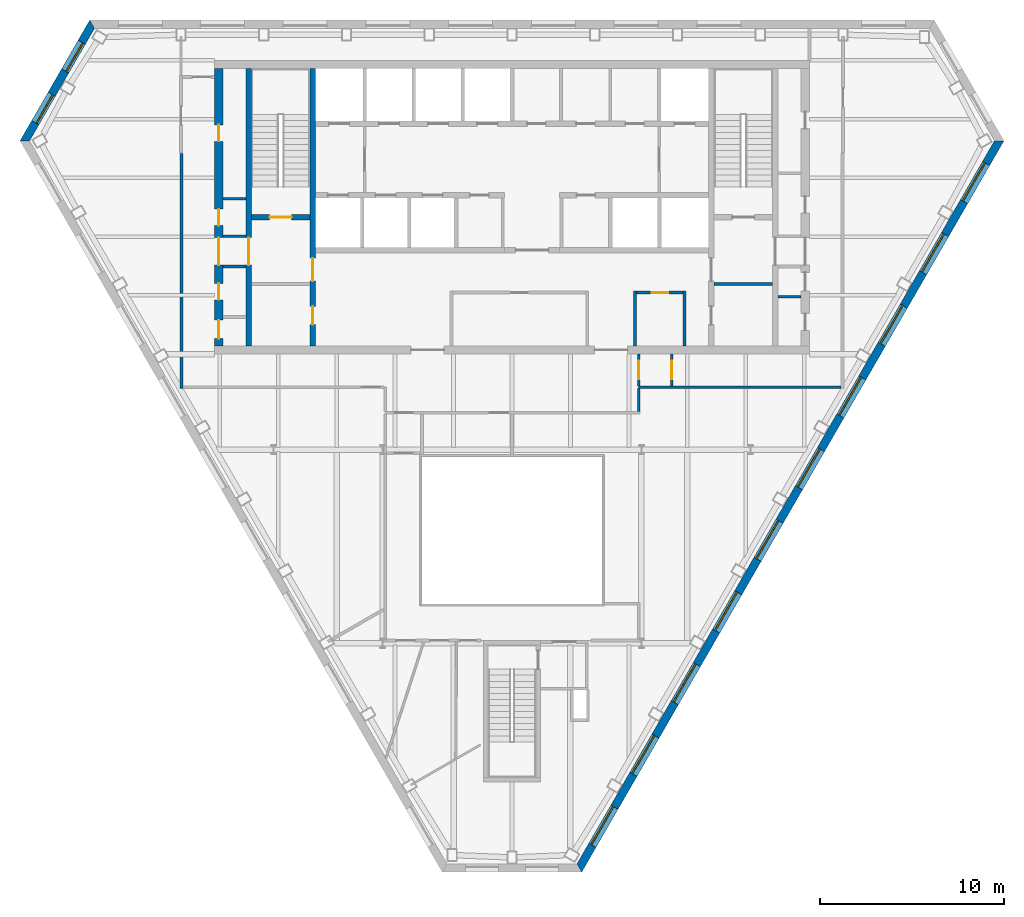
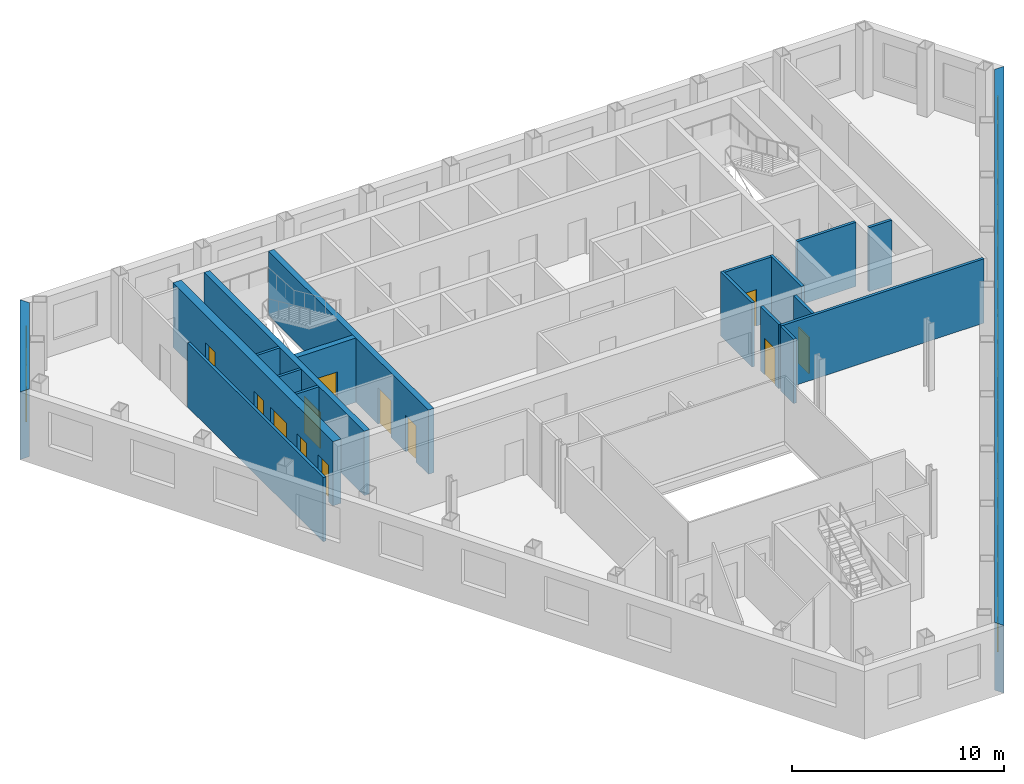
# One storey, part 5 of 10: 19 walls, 12 doors, 12 windows, 24 openings.
"""IFC4 building model written with IfcOpenShell, lengths in metres."""

from ifc_helpers import new_model, si_unit, direction, frame, frame_2d, origin, place, context, subcontext, project, spatial, polyline, rectangle, outline, extrude, material, layer, layer_set, type_object, element, fill, save


model = new_model("IFC4")

# Units and contexts
model_context = context("Model", 3, precision=1e-05, world=origin(), true_north=direction((0.0, 1.0)))
body_context = subcontext(model_context, "Body", "Model", "MODEL_VIEW")
ifc_project = project(units=[si_unit("LENGTHUNIT", "METRE"), si_unit("AREAUNIT", "SQUARE_METRE"), si_unit("VOLUMEUNIT", "CUBIC_METRE"), si_unit("PLANEANGLEUNIT", "RADIAN"), si_unit("MASSUNIT", "GRAM", prefix="KILO")], contexts=[model_context])

# Site, building, storey
site_placement = place(None, origin())
site = spatial("IfcSite", under=ifc_project, at=site_placement, CompositionType="ELEMENT")
building_placement = place(site_placement, origin())
building = spatial("IfcBuilding", under=site, at=building_placement, Name="Njiva Tower", CompositionType="ELEMENT")
storey_placement = place(building_placement, frame((0.0, 0.0, 196.5)))
storey = spatial("IfcBuildingStorey", under=building, at=storey_placement, Name="L43", CompositionType="ELEMENT", Elevation=196.5)

# Walls
ifc_material_1 = material(Name="Blockwork", Category="masonry")
ifc_layer_1 = layer(ifc_material_1, 0.15)
ifc_layer_set_1 = layer_set([ifc_layer_1], Name="Blockwork")
wall_type_1 = type_object("IfcWallType", Name="WT1 Compartment partition 150", PredefinedType="PARTITIONING", material=ifc_layer_set_1)
wall_1_placement = place(storey_placement, frame((11.0, 5.825, 0.0), z_axis=(0.0, 0.0, 1.0), x_axis=(1.0, 0.0, 0.0)))
element("IfcWall", 1, at=wall_1_placement, inside=storey, type_object=wall_type_1, Name="Room wall B", PredefinedType="PARTITIONING", context=body_context, shape_type="SweptSolid", body=[
    extrude(rectangle(XDim=3.2, YDim=0.15, at=frame_2d((1.6, 0.0))), origin(), (0.0, 0.0, 1.0), 3.7),
])
wall_2_placement = place(storey_placement, frame((14.5, 5.125, 0.0), z_axis=(0.0, 0.0, 1.0), x_axis=(1.0, 0.0, 0.0)))
element("IfcWall", 2, at=wall_2_placement, inside=storey, type_object=wall_type_1, Name="Partition strip E00", PredefinedType="PARTITIONING", context=body_context, shape_type="SweptSolid", body=[
    extrude(rectangle(XDim=1.25, YDim=0.15, at=frame_2d((0.625, 0.0))), origin(), (0.0, 0.0, 1.0), 3.7),
])
for number, where, z_axis, x_axis, name in (
    (3, (6.7, 2.45, 0.0), (0.0, 0.0, 1.0), (0.0, 1.0, 0.0), "Security office wall west"),
    (4, (9.4, 2.45, 0.0), (0.0, 0.0, 1.0), (0.0, 1.0, 0.0), "Security office wall east"),
):
    element("IfcWall", number, at=place(storey_placement, frame(where, z_axis=z_axis, x_axis=x_axis)), inside=storey, type_object=wall_type_1, Name=name, PredefinedType="PARTITIONING", context=body_context, shape_type="SweptSolid", body=[
        extrude(rectangle(XDim=2.975, YDim=0.15, at=frame_2d((1.4875, 0.0))), origin(), (0.0, 0.0, 1.0), 3.7),
    ])

# Wall, opening, door
wall_3_placement = place(storey_placement, frame((6.775, 5.35, 0.0), z_axis=(0.0, 0.0, 1.0), x_axis=(1.0, 0.0, 0.0)))
wall_3 = element("IfcWall", 5, at=wall_3_placement, inside=storey, type_object=wall_type_1, Name="Security office wall north", PredefinedType="PARTITIONING", context=body_context, shape_type="SweptSolid", body=[
    extrude(rectangle(XDim=2.55, YDim=0.15, at=frame_2d((1.275, 0.0))), origin(), (0.0, 0.0, 1.0), 3.7),
])
opening_1_placement = place(wall_3_placement, frame((0.825, 0.0, 0.0)))
opening_1 = element("IfcOpeningElement", 6, at=opening_1_placement, cuts=wall_3, Name="Opening S14-D935", PredefinedType="OPENING", context=body_context, shape_type="SweptSolid", body=[
    extrude(rectangle(XDim=0.9, YDim=2.1, at=frame_2d((0.45, 1.05))), frame((0.0, 0.085, 0.0), z_axis=(0.0, -1.0, 0.0), x_axis=(1.0, 0.0, 0.0)), (0.0, 0.0, 1.0), 0.17),
])
ifc_material_2 = material(Name="Steel fire door, painted", Category="steel")
door_type_1 = type_object("IfcDoorType", Name="D6 Fire-rated door 900x2100", OperationType="SINGLE_SWING_LEFT", PredefinedType="DOOR", material=ifc_material_2)
door_1_placement = place(opening_1_placement, origin())
door_1 = element("IfcDoor", 7, at=door_1_placement, inside=storey, type_object=door_type_1, Name="Security office door", OperationType="SINGLE_SWING_RIGHT", OverallHeight=2.1, OverallWidth=0.9, PredefinedType="DOOR", context=body_context, shape_type="SweptSolid", body=[
    extrude(rectangle(XDim=0.9, YDim=2.1, at=frame_2d((0.45, 1.05))), frame((0.0, 0.025, 0.0), z_axis=(0.0, -1.0, 0.0), x_axis=(1.0, 0.0, 0.0)), (0.0, 0.0, 1.0), 0.05),
])
fill(opening_1, door_1)

# Wall, openings, doors
ifc_material_3 = material(Name="Concrete C40/50", Category="concrete")
ifc_layer_2 = layer(ifc_material_3, 0.3)
ifc_layer_set_2 = layer_set([ifc_layer_2], Name="Concrete C40/50")
wall_type_2 = type_object("IfcWallType", Name="WT10 Stair enclosure wall 300", PredefinedType="SHEAR", material=ifc_layer_set_2)
wall_4_placement = place(storey_placement, frame((-10.85, 2.45, 0.0), z_axis=(0.0, 0.0, 1.0), x_axis=(0.0, 1.0, 0.0)))
wall_4 = element("IfcWall", 8, at=wall_4_placement, inside=storey, type_object=wall_type_2, Name="Stair wall west inner", PredefinedType="SHEAR", context=body_context, shape_type="SweptSolid", body=[
    extrude(rectangle(XDim=15.1, YDim=0.3, at=frame_2d((7.55, 0.0))), origin(), (0.0, 0.0, 1.0), 3.7),
])
opening_2_placement = place(wall_4_placement, frame((3.525, 0.0, 0.0)))
opening_2 = element("IfcOpeningElement", 9, at=opening_2_placement, cuts=wall_4, Name="Opening S14-D916", PredefinedType="OPENING", context=body_context, shape_type="SweptSolid", body=[
    extrude(rectangle(XDim=1.25, YDim=2.1, at=frame_2d((0.625, 1.05))), frame((0.0, 0.16, 0.0), z_axis=(0.0, -1.0, 0.0), x_axis=(1.0, 0.0, 0.0)), (0.0, 0.0, 1.0), 0.32),
])
opening_3_placement = place(wall_4_placement, frame((1.15, 0.0, 0.0)))
opening_3 = element("IfcOpeningElement", 10, at=opening_3_placement, cuts=wall_4, Name="Opening S14-D917", PredefinedType="OPENING", context=body_context, shape_type="SweptSolid", body=[
    extrude(rectangle(XDim=1.0, YDim=2.1, at=frame_2d((0.5, 1.05))), frame((0.0, 0.16, 0.0), z_axis=(0.0, -1.0, 0.0), x_axis=(1.0, 0.0, 0.0)), (0.0, 0.0, 1.0), 0.32),
])
ifc_material_4 = material(Name="Steel door, painted", Category="steel")
door_type_2 = type_object("IfcDoorType", Name="D5 Steel door 1000x2100", OperationType="SINGLE_SWING_LEFT", PredefinedType="DOOR", material=ifc_material_4)
door_2_placement = place(opening_3_placement, origin())
door_2 = element("IfcDoor", 11, at=door_2_placement, inside=storey, type_object=door_type_2, Name="Quiet room door", OperationType="SINGLE_SWING_RIGHT", OverallHeight=2.1, OverallWidth=1.0, PredefinedType="DOOR", context=body_context, shape_type="SweptSolid", body=[
    extrude(rectangle(XDim=1.0, YDim=2.1, at=frame_2d((0.5, 1.05))), frame((0.0, 0.025, 0.0), z_axis=(0.0, -1.0, 0.0), x_axis=(1.0, 0.0, 0.0)), (0.0, 0.0, 1.0), 0.05),
])
fill(opening_3, door_2)
ifc_material_5 = material(Name="Glazed steel fire door", Category="steel")
door_type_3 = type_object("IfcDoorType", Name="D8 Vestibule corridor door 1250x2100 glazed", OperationType="SINGLE_SWING_LEFT", PredefinedType="DOOR", material=ifc_material_5)
door_3_placement = place(opening_2_placement, origin())
door_3 = element("IfcDoor", 12, at=door_3_placement, inside=storey, type_object=door_type_3, Name="Stair vestibule corridor door", OperationType="SINGLE_SWING_LEFT", OverallHeight=2.1, OverallWidth=1.25, PredefinedType="DOOR", context=body_context, shape_type="SweptSolid", body=[
    extrude(rectangle(XDim=1.25, YDim=2.1, at=frame_2d((0.625, 1.05))), frame((0.0, 0.025, 0.0), z_axis=(0.0, -1.0, 0.0), x_axis=(1.0, 0.0, 0.0)), (0.0, 0.0, 1.0), 0.05),
])
fill(opening_2, door_3)

# Wall, opening, door
wall_5_placement = place(storey_placement, frame((-14.35, 2.45, 0.0), z_axis=(0.0, 0.0, 1.0), x_axis=(0.0, 1.0, 0.0)))
wall_5 = element("IfcWall", 13, at=wall_5_placement, inside=storey, type_object=wall_type_2, Name="Stair wall west outer", PredefinedType="SHEAR", context=body_context, shape_type="SweptSolid", body=[
    extrude(rectangle(XDim=15.1, YDim=0.3, at=frame_2d((7.55, 0.0))), origin(), (0.0, 0.0, 1.0), 3.7),
])
opening_4_placement = place(wall_5_placement, frame((4.4, 0.0, 0.0)))
opening_4 = element("IfcOpeningElement", 14, at=opening_4_placement, cuts=wall_5, Name="Opening S14-D922", PredefinedType="OPENING", context=body_context, shape_type="SweptSolid", body=[
    extrude(rectangle(XDim=1.5, YDim=2.1, at=frame_2d((0.75, 1.05))), frame((0.0, 0.16, 0.0), z_axis=(0.0, -1.0, 0.0), x_axis=(1.0, 0.0, 0.0)), (0.0, 0.0, 1.0), 0.32),
])
door_type_4 = type_object("IfcDoorType", Name="D10 Exit door double 1500x2100 glazed", OperationType="DOUBLE_DOOR_SINGLE_SWING", PredefinedType="DOOR", material=ifc_material_5)
door_4_placement = place(opening_4_placement, origin())
door_4 = element("IfcDoor", 15, at=door_4_placement, inside=storey, type_object=door_type_4, Name="Stair A passage door", OperationType="DOUBLE_DOOR_SINGLE_SWING", OverallHeight=2.1, OverallWidth=1.5, PredefinedType="DOOR", context=body_context, shape_type="SweptSolid", body=[
    extrude(rectangle(XDim=1.5, YDim=2.1, at=frame_2d((0.75, 1.05))), frame((0.0, 0.025, 0.0), z_axis=(0.0, -1.0, 0.0), x_axis=(1.0, 0.0, 0.0)), (0.0, 0.0, 1.0), 0.05),
])
fill(opening_4, door_4)

wall_6_placement = place(storey_placement, frame((-14.2, 9.45, 0.0), z_axis=(0.0, 0.0, 1.0), x_axis=(1.0, 0.0, 0.0)))
wall_6 = element("IfcWall", 16, at=wall_6_placement, inside=storey, type_object=wall_type_2, Name="Stair A south wall", PredefinedType="SHEAR", context=body_context, shape_type="SweptSolid", body=[
    extrude(rectangle(XDim=3.2, YDim=0.3, at=frame_2d((1.6, 0.0))), origin(), (0.0, 0.0, 1.0), 3.7),
])
opening_5_placement = place(wall_6_placement, frame((1.0, 0.0, 0.0)))
opening_5 = element("IfcOpeningElement", 17, at=opening_5_placement, cuts=wall_6, Name="Opening S14-D915", PredefinedType="OPENING", context=body_context, shape_type="SweptSolid", body=[
    extrude(rectangle(XDim=1.2, YDim=2.1, at=frame_2d((0.6, 1.05))), frame((0.0, 0.16, 0.0), z_axis=(0.0, -1.0, 0.0), x_axis=(1.0, 0.0, 0.0)), (0.0, 0.0, 1.0), 0.32),
])
door_type_5 = type_object("IfcDoorType", Name="D7 Stair vestibule door 1200x2100 glazed", OperationType="SINGLE_SWING_LEFT", PredefinedType="DOOR", material=ifc_material_5)
door_5_placement = place(opening_5_placement, origin())
door_5 = element("IfcDoor", 18, at=door_5_placement, inside=storey, type_object=door_type_5, Name="Stair A door", OperationType="SINGLE_SWING_LEFT", OverallHeight=2.1, OverallWidth=1.2, PredefinedType="DOOR", context=body_context, shape_type="SweptSolid", body=[
    extrude(rectangle(XDim=1.2, YDim=2.1, at=frame_2d((0.6, 1.05))), frame((0.0, 0.025, 0.0), z_axis=(0.0, -1.0, 0.0), x_axis=(1.0, 0.0, 0.0)), (0.0, 0.0, 1.0), 0.05),
])
fill(opening_5, door_5)

# Wall, openings, doors
ifc_material_6 = material(Name="Concrete C60/75", Category="concrete")
ifc_layer_3 = layer(ifc_material_6, 0.45)
ifc_layer_set_3 = layer_set([ifc_layer_3], Name="Concrete C60/75")
wall_type_3 = type_object("IfcWallType", Name="WT12 Core wall 450", PredefinedType="SHEAR", material=ifc_layer_set_3)
wall_7_placement = place(storey_placement, frame((-15.975, 2.45, 0.0), z_axis=(0.0, 0.0, 1.0), x_axis=(0.0, 1.0, 0.0)))
wall_7 = element("IfcWall", 19, at=wall_7_placement, inside=storey, type_object=wall_type_3, Name="Core wall west", PredefinedType="SHEAR", context=body_context, shape_type="SweptSolid", body=[
    extrude(rectangle(XDim=15.1, YDim=0.45, at=frame_2d((7.55, 0.0))), origin(), (0.0, 0.0, 1.0), 3.7),
])
opening_6_placement = place(wall_7_placement, frame((4.4, 0.0, 0.0)))
opening_6 = element("IfcOpeningElement", 20, at=opening_6_placement, cuts=wall_7, Name="Opening S14-D923", PredefinedType="OPENING", context=body_context, shape_type="SweptSolid", body=[
    extrude(rectangle(XDim=1.5, YDim=2.1, at=frame_2d((0.75, 1.05))), frame((0.0, 0.235, 0.0), z_axis=(0.0, -1.0, 0.0), x_axis=(1.0, 0.0, 0.0)), (0.0, 0.0, 1.0), 0.47),
])
opening_7_placement = place(wall_7_placement, frame((0.4, 0.0, 0.0)))
opening_7 = element("IfcOpeningElement", 21, at=opening_7_placement, cuts=wall_7, Name="Opening S14-D924", PredefinedType="OPENING", context=body_context, shape_type="SweptSolid", body=[
    extrude(rectangle(XDim=1.0, YDim=2.1, at=frame_2d((0.5, 1.05))), frame((0.0, 0.235, 0.0), z_axis=(0.0, -1.0, 0.0), x_axis=(1.0, 0.0, 0.0)), (0.0, 0.0, 1.0), 0.47),
])
opening_8_placement = place(wall_7_placement, frame((2.5, 0.0, 0.0)))
opening_8 = element("IfcOpeningElement", 22, at=opening_8_placement, cuts=wall_7, Name="Opening S14-D925", PredefinedType="OPENING", context=body_context, shape_type="SweptSolid", body=[
    extrude(rectangle(XDim=0.9, YDim=2.1, at=frame_2d((0.45, 1.05))), frame((0.0, 0.235, 0.0), z_axis=(0.0, -1.0, 0.0), x_axis=(1.0, 0.0, 0.0)), (0.0, 0.0, 1.0), 0.47),
])
opening_9_placement = place(wall_7_placement, frame((6.5439, 0.0, 0.0)))
opening_9 = element("IfcOpeningElement", 23, at=opening_9_placement, cuts=wall_7, Name="Opening S14-D926", PredefinedType="OPENING", context=body_context, shape_type="SweptSolid", body=[
    extrude(rectangle(XDim=0.9, YDim=2.1, at=frame_2d((0.45, 1.05))), frame((0.0, 0.235, 0.0), z_axis=(0.0, -1.0, 0.0), x_axis=(1.0, 0.0, 0.0)), (0.0, 0.0, 1.0), 0.47),
])
opening_10_placement = place(wall_7_placement, frame((11.1439, 0.0, 0.0)))
opening_10 = element("IfcOpeningElement", 24, at=opening_10_placement, cuts=wall_7, Name="Opening S14-D927", PredefinedType="OPENING", context=body_context, shape_type="SweptSolid", body=[
    extrude(rectangle(XDim=0.9, YDim=2.1, at=frame_2d((0.45, 1.05))), frame((0.0, 0.235, 0.0), z_axis=(0.0, -1.0, 0.0), x_axis=(1.0, 0.0, 0.0)), (0.0, 0.0, 1.0), 0.47),
])
door_6_placement = place(opening_6_placement, origin())
door_6 = element("IfcDoor", 25, at=door_6_placement, inside=storey, type_object=door_type_4, Name="Stair A corridor door", OperationType="DOUBLE_DOOR_SINGLE_SWING", OverallHeight=2.1, OverallWidth=1.5, PredefinedType="DOOR", context=body_context, shape_type="SweptSolid", body=[
    extrude(rectangle(XDim=1.5, YDim=2.1, at=frame_2d((0.75, 1.05))), frame((0.0, 0.025, 0.0), z_axis=(0.0, -1.0, 0.0), x_axis=(1.0, 0.0, 0.0)), (0.0, 0.0, 1.0), 0.05),
])
fill(opening_6, door_6)
door_type_6 = type_object("IfcDoorType", Name="D4 Riser door 900x2100", OperationType="SINGLE_SWING_LEFT", PredefinedType="DOOR", material=ifc_material_4)
door_7_placement = place(opening_9_placement, origin())
door_7 = element("IfcDoor", 26, at=door_7_placement, inside=storey, type_object=door_type_6, Name="Cable riser door", OperationType="SINGLE_SWING_RIGHT", OverallHeight=2.1, OverallWidth=0.9, PredefinedType="DOOR", context=body_context, shape_type="SweptSolid", body=[
    extrude(rectangle(XDim=0.9, YDim=2.1, at=frame_2d((0.45, 1.05))), frame((0.0, 0.025, 0.0), z_axis=(0.0, -1.0, 0.0), x_axis=(1.0, 0.0, 0.0)), (0.0, 0.0, 1.0), 0.05),
])
fill(opening_9, door_7)
door_8_placement = place(opening_7_placement, origin())
door_8 = element("IfcDoor", 27, at=door_8_placement, inside=storey, type_object=door_type_2, Name="Electrical room door", OperationType="SINGLE_SWING_RIGHT", OverallHeight=2.1, OverallWidth=1.0, PredefinedType="DOOR", context=body_context, shape_type="SweptSolid", body=[
    extrude(rectangle(XDim=1.0, YDim=2.1, at=frame_2d((0.5, 1.05))), frame((0.0, 0.025, 0.0), z_axis=(0.0, -1.0, 0.0), x_axis=(1.0, 0.0, 0.0)), (0.0, 0.0, 1.0), 0.05),
])
fill(opening_7, door_8)
door_9_placement = place(opening_8_placement, origin())
door_9 = element("IfcDoor", 28, at=door_9_placement, inside=storey, type_object=door_type_1, Name="Cable store door", OperationType="SINGLE_SWING_RIGHT", OverallHeight=2.1, OverallWidth=0.9, PredefinedType="DOOR", context=body_context, shape_type="SweptSolid", body=[
    extrude(rectangle(XDim=0.9, YDim=2.1, at=frame_2d((0.45, 1.05))), frame((0.0, 0.025, 0.0), z_axis=(0.0, -1.0, 0.0), x_axis=(1.0, 0.0, 0.0)), (0.0, 0.0, 1.0), 0.05),
])
fill(opening_8, door_9)
door_10_placement = place(opening_10_placement, origin())
door_10 = element("IfcDoor", 29, at=door_10_placement, inside=storey, type_object=door_type_1, Name="Cable store door", OperationType="SINGLE_SWING_LEFT", OverallHeight=2.1, OverallWidth=0.9, PredefinedType="DOOR", context=body_context, shape_type="SweptSolid", body=[
    extrude(rectangle(XDim=0.9, YDim=2.1, at=frame_2d((0.45, 1.05))), frame((0.0, 0.025, 0.0), z_axis=(0.0, -1.0, 0.0), x_axis=(1.0, 0.0, 0.0)), (0.0, 0.0, 1.0), 0.05),
])
fill(opening_10, door_10)

# Walls
ifc_material_7 = material(Name="Gypsum board on steel studs", Category="gypsum")
ifc_layer_4 = layer(ifc_material_7, 0.15)
ifc_layer_set_4 = layer_set([ifc_layer_4], Name="Gypsum board on steel studs")
wall_type_4 = type_object("IfcWallType", Name="WT21 Compartment wall 150", PredefinedType="PARTITIONING", material=ifc_layer_set_4)
wall_8_placement = place(storey_placement, frame((-18.0, 0.125, 0.0), z_axis=(0.0, 0.0, 1.0), x_axis=(0.0, 1.0, 0.0)))
element("IfcWall", 30, at=wall_8_placement, inside=storey, type_object=wall_type_4, Name="Partition S14-P003", PredefinedType="PARTITIONING", context=body_context, shape_type="SweptSolid", body=[
    extrude(rectangle(XDim=12.8, YDim=0.15, at=frame_2d((6.4, 0.0))), origin(), (0.0, 0.0, 1.0), 3.7),
])
wall_9_placement = place(storey_placement, frame((6.9, -1.125, 0.0), z_axis=(0.0, 0.0, 1.0), x_axis=(0.0, 1.0, 0.0)))
element("IfcWall", 31, at=wall_9_placement, inside=storey, type_object=wall_type_4, Name="Partition S14-P021", PredefinedType="PARTITIONING", context=body_context, shape_type="SweptSolid", body=[
    extrude(rectangle(XDim=1.25, YDim=0.15, at=frame_2d((0.625, 0.0))), origin(), (0.0, 0.0, 1.0), 3.7),
])
wall_10_placement = place(storey_placement, frame((6.9, 0.2, 0.0), z_axis=(0.0, 0.0, 1.0), x_axis=(1.0, 0.0, 0.0)))
element("IfcWall", 32, at=wall_10_placement, inside=storey, type_object=wall_type_4, Name="Partition S14-P022", PredefinedType="PARTITIONING", context=body_context, shape_type="SweptSolid", body=[
    extrude(rectangle(XDim=11.025, YDim=0.15, at=frame_2d((5.5125, 0.0))), origin(), (0.0, 0.0, 1.0), 3.7),
])

# Wall, opening, door
wall_11_placement = place(storey_placement, frame((6.9, 0.275, 0.0), z_axis=(0.0, 0.0, 1.0), x_axis=(0.0, 1.0, 0.0)))
wall_11 = element("IfcWall", 33, at=wall_11_placement, inside=storey, type_object=wall_type_4, Name="Partition S14-P023", PredefinedType="PARTITIONING", context=body_context, shape_type="SweptSolid", body=[
    extrude(rectangle(XDim=1.725, YDim=0.15, at=frame_2d((0.8625, 0.0))), origin(), (0.0, 0.0, 1.0), 3.7),
])
opening_11_placement = place(wall_11_placement, frame((0.362, 0.0, 0.0)))
opening_11 = element("IfcOpeningElement", 34, at=opening_11_placement, cuts=wall_11, Name="Opening S14-D010", PredefinedType="OPENING", context=body_context, shape_type="SweptSolid", body=[
    extrude(rectangle(XDim=1.0, YDim=2.1, at=frame_2d((0.5, 1.05))), frame((0.0, 0.085, 0.0), z_axis=(0.0, -1.0, 0.0), x_axis=(1.0, 0.0, 0.0)), (0.0, 0.0, 1.0), 0.17),
])
ifc_material_8 = material(Name="Steel fire door set", Category="steel")
door_type_7 = type_object("IfcDoorType", Name="D37 Fire door 1000x2100", OperationType="SINGLE_SWING_LEFT", PredefinedType="DOOR", material=ifc_material_8)
door_11_placement = place(opening_11_placement, origin())
door_11 = element("IfcDoor", 35, at=door_11_placement, inside=storey, type_object=door_type_7, Name="Door S14-D010", OperationType="SINGLE_SWING_LEFT", OverallHeight=2.1, OverallWidth=1.0, PredefinedType="DOOR", context=body_context, shape_type="SweptSolid", body=[
    extrude(rectangle(XDim=1.0, YDim=2.1, at=frame_2d((0.5, 1.05))), frame((0.0, 0.025, 0.0), z_axis=(0.0, -1.0, 0.0), x_axis=(1.0, 0.0, 0.0)), (0.0, 0.0, 1.0), 0.05),
])
fill(opening_11, door_11)

wall_12_placement = place(storey_placement, frame((8.7, 0.275, 0.0), z_axis=(0.0, 0.0, 1.0), x_axis=(0.0, 1.0, 0.0)))
wall_12 = element("IfcWall", 36, at=wall_12_placement, inside=storey, type_object=wall_type_4, Name="Partition S14-P024", PredefinedType="PARTITIONING", context=body_context, shape_type="SweptSolid", body=[
    extrude(rectangle(XDim=1.725, YDim=0.15, at=frame_2d((0.8625, 0.0))), origin(), (0.0, 0.0, 1.0), 3.7),
])
opening_12_placement = place(wall_12_placement, frame((0.363, 0.0, 0.0)))
opening_12 = element("IfcOpeningElement", 37, at=opening_12_placement, cuts=wall_12, Name="Opening S14-D011", PredefinedType="OPENING", context=body_context, shape_type="SweptSolid", body=[
    extrude(rectangle(XDim=1.0, YDim=2.1, at=frame_2d((0.5, 1.05))), frame((0.0, 0.085, 0.0), z_axis=(0.0, -1.0, 0.0), x_axis=(1.0, 0.0, 0.0)), (0.0, 0.0, 1.0), 0.17),
])
door_12_placement = place(opening_12_placement, origin())
door_12 = element("IfcDoor", 38, at=door_12_placement, inside=storey, type_object=door_type_7, Name="Door S14-D011", OperationType="SINGLE_SWING_RIGHT", OverallHeight=2.1, OverallWidth=1.0, PredefinedType="DOOR", context=body_context, shape_type="SweptSolid", body=[
    extrude(rectangle(XDim=1.0, YDim=2.1, at=frame_2d((0.5, 1.05))), frame((0.0, 0.025, 0.0), z_axis=(0.0, -1.0, 0.0), x_axis=(1.0, 0.0, 0.0)), (0.0, 0.0, 1.0), 0.05),
])
fill(opening_12, door_12)

# Walls
ifc_layer_5 = layer(ifc_material_1, 0.15)
ifc_layer_set_5 = layer_set([ifc_layer_5], Name="Blockwork")
wall_type_5 = type_object("IfcWallType", Name="WT3 Riser partition 150", PredefinedType="PARTITIONING", material=ifc_layer_set_5)
wall_13_placement = place(storey_placement, frame((-15.75, 10.4629, 0.0), z_axis=(0.0, 0.0, 1.0), x_axis=(1.0, 0.0, 0.0)))
element("IfcWall", 39, at=wall_13_placement, inside=storey, type_object=wall_type_5, Name="Partition strip W10", PredefinedType="PARTITIONING", context=body_context, shape_type="SweptSolid", body=[
    extrude(rectangle(XDim=1.25, YDim=0.15, at=frame_2d((0.625, 0.0))), origin(), (0.0, 0.0, 1.0), 3.7),
])
ifc_layer_6 = layer(ifc_material_1, 0.15)
ifc_layer_set_6 = layer_set([ifc_layer_6], Name="Blockwork")
wall_type_6 = type_object("IfcWallType", Name="WT4 Stair partition 150", PredefinedType="PARTITIONING", material=ifc_layer_set_6)
for number, where, z_axis, x_axis, name in (
    (40, (-15.75, 6.775, 0.0), (0.0, 0.0, 1.0), (1.0, 0.0, 0.0), "Stair A exit passage wall south"),
    (41, (-15.75, 8.425, 0.0), (0.0, 0.0, 1.0), (1.0, 0.0, 0.0), "Stair A exit passage wall north"),
):
    element("IfcWall", number, at=place(storey_placement, frame(where, z_axis=z_axis, x_axis=x_axis)), inside=storey, type_object=wall_type_6, Name=name, PredefinedType="PARTITIONING", context=body_context, shape_type="SweptSolid", body=[
        extrude(rectangle(XDim=1.25, YDim=0.15, at=frame_2d((0.625, 0.0))), origin(), (0.0, 0.0, 1.0), 3.7),
    ])

# Wall, openings, windows
ifc_material_9 = material(Name="Brick masonry", Category="masonry")
ifc_layer_7 = layer(ifc_material_9, 0.45)
ifc_layer_set_7 = layer_set([ifc_layer_7], Name="Brick masonry")
wall_type_7 = type_object("IfcWallType", Name="WT90 Brick pier and spandrel wall 450", PredefinedType="SOLIDWALL", material=ifc_layer_set_7)
wall_14_placement = place(storey_placement, frame((3.6701, -25.994, -0.4), z_axis=(0.0, 0.0, 1.0), x_axis=(0.499999764979, 0.866025539474, 0.0)))
wall_14 = element("IfcWall", 42, at=wall_14_placement, inside=storey, type_object=wall_type_7, Name="Facade wall SE", PredefinedType="SOLIDWALL", context=body_context, shape_type="SweptSolid", body=[
    extrude(outline(polyline([(-0.1299, -0.225), (45.8701, -0.225), (45.6103, 0.225), (0.1299, 0.225), (-0.1299, -0.225)])), origin(), (0.0, 0.0, 1.0), 3.9),
])
opening_13_placement = place(wall_14_placement, frame((1.4242, 0.0, 1.3)))
opening_13 = element("IfcOpeningElement", 43, at=opening_13_placement, cuts=wall_14, Name="Opening S14-W23", PredefinedType="OPENING", context=body_context, shape_type="SweptSolid", body=[
    extrude(rectangle(XDim=2.4, YDim=2.0, at=frame_2d((1.2, 1.0))), frame((0.0, 0.235, 0.0), z_axis=(0.0, -1.0, 0.0), x_axis=(1.0, 0.0, 0.0)), (0.0, 0.0, 1.0), 0.47),
])
opening_14_placement = place(wall_14_placement, frame((5.8934, 0.0, 1.3)))
opening_14 = element("IfcOpeningElement", 44, at=opening_14_placement, cuts=wall_14, Name="Opening S14-W24", PredefinedType="OPENING", context=body_context, shape_type="SweptSolid", body=[
    extrude(rectangle(XDim=2.4, YDim=2.0, at=frame_2d((1.2, 1.0))), frame((0.0, 0.235, 0.0), z_axis=(0.0, -1.0, 0.0), x_axis=(1.0, 0.0, 0.0)), (0.0, 0.0, 1.0), 0.47),
])
opening_15_placement = place(wall_14_placement, frame((10.401, 0.0, 1.3)))
opening_15 = element("IfcOpeningElement", 45, at=opening_15_placement, cuts=wall_14, Name="Opening S14-W25", PredefinedType="OPENING", context=body_context, shape_type="SweptSolid", body=[
    extrude(rectangle(XDim=2.4, YDim=2.0, at=frame_2d((1.2, 1.0))), frame((0.0, 0.235, 0.0), z_axis=(0.0, -1.0, 0.0), x_axis=(1.0, 0.0, 0.0)), (0.0, 0.0, 1.0), 0.47),
])
opening_16_placement = place(wall_14_placement, frame((14.9087, 0.0, 1.3)))
opening_16 = element("IfcOpeningElement", 46, at=opening_16_placement, cuts=wall_14, Name="Opening S14-W26", PredefinedType="OPENING", context=body_context, shape_type="SweptSolid", body=[
    extrude(rectangle(XDim=2.4, YDim=2.0, at=frame_2d((1.2, 1.0))), frame((0.0, 0.235, 0.0), z_axis=(0.0, -1.0, 0.0), x_axis=(1.0, 0.0, 0.0)), (0.0, 0.0, 1.0), 0.47),
])
opening_17_placement = place(wall_14_placement, frame((19.4163, 0.0, 1.3)))
opening_17 = element("IfcOpeningElement", 47, at=opening_17_placement, cuts=wall_14, Name="Opening S14-W27", PredefinedType="OPENING", context=body_context, shape_type="SweptSolid", body=[
    extrude(rectangle(XDim=2.4, YDim=2.0, at=frame_2d((1.2, 1.0))), frame((0.0, 0.235, 0.0), z_axis=(0.0, -1.0, 0.0), x_axis=(1.0, 0.0, 0.0)), (0.0, 0.0, 1.0), 0.47),
])
opening_18_placement = place(wall_14_placement, frame((23.9239, 0.0, 1.3)))
opening_18 = element("IfcOpeningElement", 48, at=opening_18_placement, cuts=wall_14, Name="Opening S14-W28", PredefinedType="OPENING", context=body_context, shape_type="SweptSolid", body=[
    extrude(rectangle(XDim=2.4, YDim=2.0, at=frame_2d((1.2, 1.0))), frame((0.0, 0.235, 0.0), z_axis=(0.0, -1.0, 0.0), x_axis=(1.0, 0.0, 0.0)), (0.0, 0.0, 1.0), 0.47),
])
opening_19_placement = place(wall_14_placement, frame((28.4315, 0.0, 1.3)))
opening_19 = element("IfcOpeningElement", 49, at=opening_19_placement, cuts=wall_14, Name="Opening S14-W29", PredefinedType="OPENING", context=body_context, shape_type="SweptSolid", body=[
    extrude(rectangle(XDim=2.4, YDim=2.0, at=frame_2d((1.2, 1.0))), frame((0.0, 0.235, 0.0), z_axis=(0.0, -1.0, 0.0), x_axis=(1.0, 0.0, 0.0)), (0.0, 0.0, 1.0), 0.47),
])
opening_20_placement = place(wall_14_placement, frame((32.9391, 0.0, 1.3)))
opening_20 = element("IfcOpeningElement", 50, at=opening_20_placement, cuts=wall_14, Name="Opening S14-W30", PredefinedType="OPENING", context=body_context, shape_type="SweptSolid", body=[
    extrude(rectangle(XDim=2.4, YDim=2.0, at=frame_2d((1.2, 1.0))), frame((0.0, 0.235, 0.0), z_axis=(0.0, -1.0, 0.0), x_axis=(1.0, 0.0, 0.0)), (0.0, 0.0, 1.0), 0.47),
])
opening_21_placement = place(wall_14_placement, frame((37.4468, 0.0, 1.3)))
opening_21 = element("IfcOpeningElement", 51, at=opening_21_placement, cuts=wall_14, Name="Opening S14-W31", PredefinedType="OPENING", context=body_context, shape_type="SweptSolid", body=[
    extrude(rectangle(XDim=2.4, YDim=2.0, at=frame_2d((1.2, 1.0))), frame((0.0, 0.235, 0.0), z_axis=(0.0, -1.0, 0.0), x_axis=(1.0, 0.0, 0.0)), (0.0, 0.0, 1.0), 0.47),
])
opening_22_placement = place(wall_14_placement, frame((41.916, 0.0, 1.3)))
opening_22 = element("IfcOpeningElement", 52, at=opening_22_placement, cuts=wall_14, Name="Opening S14-W32", PredefinedType="OPENING", context=body_context, shape_type="SweptSolid", body=[
    extrude(rectangle(XDim=2.4, YDim=2.0, at=frame_2d((1.2, 1.0))), frame((0.0, 0.235, 0.0), z_axis=(0.0, -1.0, 0.0), x_axis=(1.0, 0.0, 0.0)), (0.0, 0.0, 1.0), 0.47),
])
ifc_material_10 = material(Name="Clear glazing in aluminium frame", Category="aluminium")
window_type_1 = type_object("IfcWindowType", Name="W90 Deep-set window 2400x2000", PartitioningType="SINGLE_PANEL", PredefinedType="WINDOW", material=ifc_material_10)
window_1_placement = place(opening_13_placement, origin())
window_1 = element("IfcWindow", 53, at=window_1_placement, inside=storey, type_object=window_type_1, Name="Window", OverallHeight=2.0, OverallWidth=2.4, PartitioningType="SINGLE_PANEL", PredefinedType="WINDOW", context=body_context, shape_type="SweptSolid", body=[
    extrude(rectangle(XDim=2.4, YDim=2.0, at=frame_2d((1.2, 1.0))), frame((0.0, 0.105, 0.0), z_axis=(0.0, -1.0, 0.0), x_axis=(1.0, 0.0, 0.0)), (0.0, 0.0, 1.0), 0.06),
])
fill(opening_13, window_1)
window_2_placement = place(opening_14_placement, origin())
window_2 = element("IfcWindow", 54, at=window_2_placement, inside=storey, type_object=window_type_1, Name="Window", OverallHeight=2.0, OverallWidth=2.4, PartitioningType="SINGLE_PANEL", PredefinedType="WINDOW", context=body_context, shape_type="SweptSolid", body=[
    extrude(rectangle(XDim=2.4, YDim=2.0, at=frame_2d((1.2, 1.0))), frame((0.0, 0.105, 0.0), z_axis=(0.0, -1.0, 0.0), x_axis=(1.0, 0.0, 0.0)), (0.0, 0.0, 1.0), 0.06),
])
fill(opening_14, window_2)
window_3_placement = place(opening_15_placement, origin())
window_3 = element("IfcWindow", 55, at=window_3_placement, inside=storey, type_object=window_type_1, Name="Window", OverallHeight=2.0, OverallWidth=2.4, PartitioningType="SINGLE_PANEL", PredefinedType="WINDOW", context=body_context, shape_type="SweptSolid", body=[
    extrude(rectangle(XDim=2.4, YDim=2.0, at=frame_2d((1.2, 1.0))), frame((0.0, 0.105, 0.0), z_axis=(0.0, -1.0, 0.0), x_axis=(1.0, 0.0, 0.0)), (0.0, 0.0, 1.0), 0.06),
])
fill(opening_15, window_3)
window_4_placement = place(opening_16_placement, origin())
window_4 = element("IfcWindow", 56, at=window_4_placement, inside=storey, type_object=window_type_1, Name="Window", OverallHeight=2.0, OverallWidth=2.4, PartitioningType="SINGLE_PANEL", PredefinedType="WINDOW", context=body_context, shape_type="SweptSolid", body=[
    extrude(rectangle(XDim=2.4, YDim=2.0, at=frame_2d((1.2, 1.0))), frame((0.0, 0.105, 0.0), z_axis=(0.0, -1.0, 0.0), x_axis=(1.0, 0.0, 0.0)), (0.0, 0.0, 1.0), 0.06),
])
fill(opening_16, window_4)
window_5_placement = place(opening_17_placement, origin())
window_5 = element("IfcWindow", 57, at=window_5_placement, inside=storey, type_object=window_type_1, Name="Window", OverallHeight=2.0, OverallWidth=2.4, PartitioningType="SINGLE_PANEL", PredefinedType="WINDOW", context=body_context, shape_type="SweptSolid", body=[
    extrude(rectangle(XDim=2.4, YDim=2.0, at=frame_2d((1.2, 1.0))), frame((0.0, 0.105, 0.0), z_axis=(0.0, -1.0, 0.0), x_axis=(1.0, 0.0, 0.0)), (0.0, 0.0, 1.0), 0.06),
])
fill(opening_17, window_5)
window_6_placement = place(opening_18_placement, origin())
window_6 = element("IfcWindow", 58, at=window_6_placement, inside=storey, type_object=window_type_1, Name="Window", OverallHeight=2.0, OverallWidth=2.4, PartitioningType="SINGLE_PANEL", PredefinedType="WINDOW", context=body_context, shape_type="SweptSolid", body=[
    extrude(rectangle(XDim=2.4, YDim=2.0, at=frame_2d((1.2, 1.0))), frame((0.0, 0.105, 0.0), z_axis=(0.0, -1.0, 0.0), x_axis=(1.0, 0.0, 0.0)), (0.0, 0.0, 1.0), 0.06),
])
fill(opening_18, window_6)
window_7_placement = place(opening_19_placement, origin())
window_7 = element("IfcWindow", 59, at=window_7_placement, inside=storey, type_object=window_type_1, Name="Window", OverallHeight=2.0, OverallWidth=2.4, PartitioningType="SINGLE_PANEL", PredefinedType="WINDOW", context=body_context, shape_type="SweptSolid", body=[
    extrude(rectangle(XDim=2.4, YDim=2.0, at=frame_2d((1.2, 1.0))), frame((0.0, 0.105, 0.0), z_axis=(0.0, -1.0, 0.0), x_axis=(1.0, 0.0, 0.0)), (0.0, 0.0, 1.0), 0.06),
])
fill(opening_19, window_7)
window_8_placement = place(opening_20_placement, origin())
window_8 = element("IfcWindow", 60, at=window_8_placement, inside=storey, type_object=window_type_1, Name="Window", OverallHeight=2.0, OverallWidth=2.4, PartitioningType="SINGLE_PANEL", PredefinedType="WINDOW", context=body_context, shape_type="SweptSolid", body=[
    extrude(rectangle(XDim=2.4, YDim=2.0, at=frame_2d((1.2, 1.0))), frame((0.0, 0.105, 0.0), z_axis=(0.0, -1.0, 0.0), x_axis=(1.0, 0.0, 0.0)), (0.0, 0.0, 1.0), 0.06),
])
fill(opening_20, window_8)
window_9_placement = place(opening_21_placement, origin())
window_9 = element("IfcWindow", 61, at=window_9_placement, inside=storey, type_object=window_type_1, Name="Window", OverallHeight=2.0, OverallWidth=2.4, PartitioningType="SINGLE_PANEL", PredefinedType="WINDOW", context=body_context, shape_type="SweptSolid", body=[
    extrude(rectangle(XDim=2.4, YDim=2.0, at=frame_2d((1.2, 1.0))), frame((0.0, 0.105, 0.0), z_axis=(0.0, -1.0, 0.0), x_axis=(1.0, 0.0, 0.0)), (0.0, 0.0, 1.0), 0.06),
])
fill(opening_21, window_9)
window_10_placement = place(opening_22_placement, origin())
window_10 = element("IfcWindow", 62, at=window_10_placement, inside=storey, type_object=window_type_1, Name="Window", OverallHeight=2.0, OverallWidth=2.4, PartitioningType="SINGLE_PANEL", PredefinedType="WINDOW", context=body_context, shape_type="SweptSolid", body=[
    extrude(rectangle(XDim=2.4, YDim=2.0, at=frame_2d((1.2, 1.0))), frame((0.0, 0.105, 0.0), z_axis=(0.0, -1.0, 0.0), x_axis=(1.0, 0.0, 0.0)), (0.0, 0.0, 1.0), 0.06),
])
fill(opening_22, window_10)

ifc_material_11 = material(Name="Brick masonry, buff", Category="masonry")
ifc_layer_8 = layer(ifc_material_11, 0.45)
ifc_layer_set_8 = layer_set([ifc_layer_8], Name="Brick masonry, buff")
wall_type_8 = type_object("IfcWallType", Name="WT94 Brick pier and spandrel wall 450, buff", PredefinedType="SOLIDWALL", material=ifc_layer_set_8)
wall_15_placement = place(storey_placement, frame((-22.8701, 19.975, -0.4), z_axis=(0.0, 0.0, 1.0), x_axis=(-0.499999980465, -0.866025415063, 0.0)))
wall_15 = element("IfcWall", 63, at=wall_15_placement, inside=storey, type_object=wall_type_8, Name="Facade wall NW", PredefinedType="SOLIDWALL", context=body_context, shape_type="SweptSolid", body=[
    extrude(outline(polyline([(-0.1299, -0.225), (7.4701, -0.225), (7.2103, 0.225), (0.1299, 0.225), (-0.1299, -0.225)])), origin(), (0.0, 0.0, 1.0), 3.9),
])
opening_23_placement = place(wall_15_placement, frame((1.1394, 0.0, 1.3)))
opening_23 = element("IfcOpeningElement", 64, at=opening_23_placement, cuts=wall_15, Name="Opening S14-W10", PredefinedType="OPENING", context=body_context, shape_type="SweptSolid", body=[
    extrude(rectangle(XDim=1.8, YDim=2.0, at=frame_2d((0.9, 1.0))), frame((0.0, 0.235, 0.0), z_axis=(0.0, -1.0, 0.0), x_axis=(1.0, 0.0, 0.0)), (0.0, 0.0, 1.0), 0.47),
])
opening_24_placement = place(wall_15_placement, frame((4.4007, 0.0, 1.3)))
opening_24 = element("IfcOpeningElement", 65, at=opening_24_placement, cuts=wall_15, Name="Opening S14-W11", PredefinedType="OPENING", context=body_context, shape_type="SweptSolid", body=[
    extrude(rectangle(XDim=1.8, YDim=2.0, at=frame_2d((0.9, 1.0))), frame((0.0, 0.235, 0.0), z_axis=(0.0, -1.0, 0.0), x_axis=(1.0, 0.0, 0.0)), (0.0, 0.0, 1.0), 0.47),
])
window_type_2 = type_object("IfcWindowType", Name="W94 Deep-set window 1800x2000", PartitioningType="SINGLE_PANEL", PredefinedType="WINDOW", material=ifc_material_10)
window_11_placement = place(opening_23_placement, origin())
window_11 = element("IfcWindow", 66, at=window_11_placement, inside=storey, type_object=window_type_2, Name="Window", OverallHeight=2.0, OverallWidth=1.8, PartitioningType="SINGLE_PANEL", PredefinedType="WINDOW", context=body_context, shape_type="SweptSolid", body=[
    extrude(rectangle(XDim=1.8, YDim=2.0, at=frame_2d((0.9, 1.0))), frame((0.0, 0.105, 0.0), z_axis=(0.0, -1.0, 0.0), x_axis=(1.0, 0.0, 0.0)), (0.0, 0.0, 1.0), 0.06),
])
fill(opening_23, window_11)
window_12_placement = place(opening_24_placement, origin())
window_12 = element("IfcWindow", 67, at=window_12_placement, inside=storey, type_object=window_type_2, Name="Window", OverallHeight=2.0, OverallWidth=1.8, PartitioningType="SINGLE_PANEL", PredefinedType="WINDOW", context=body_context, shape_type="SweptSolid", body=[
    extrude(rectangle(XDim=1.8, YDim=2.0, at=frame_2d((0.9, 1.0))), frame((0.0, 0.105, 0.0), z_axis=(0.0, -1.0, 0.0), x_axis=(1.0, 0.0, 0.0)), (0.0, 0.0, 1.0), 0.06),
])
fill(opening_24, window_12)

save(model, "model.ifc")
